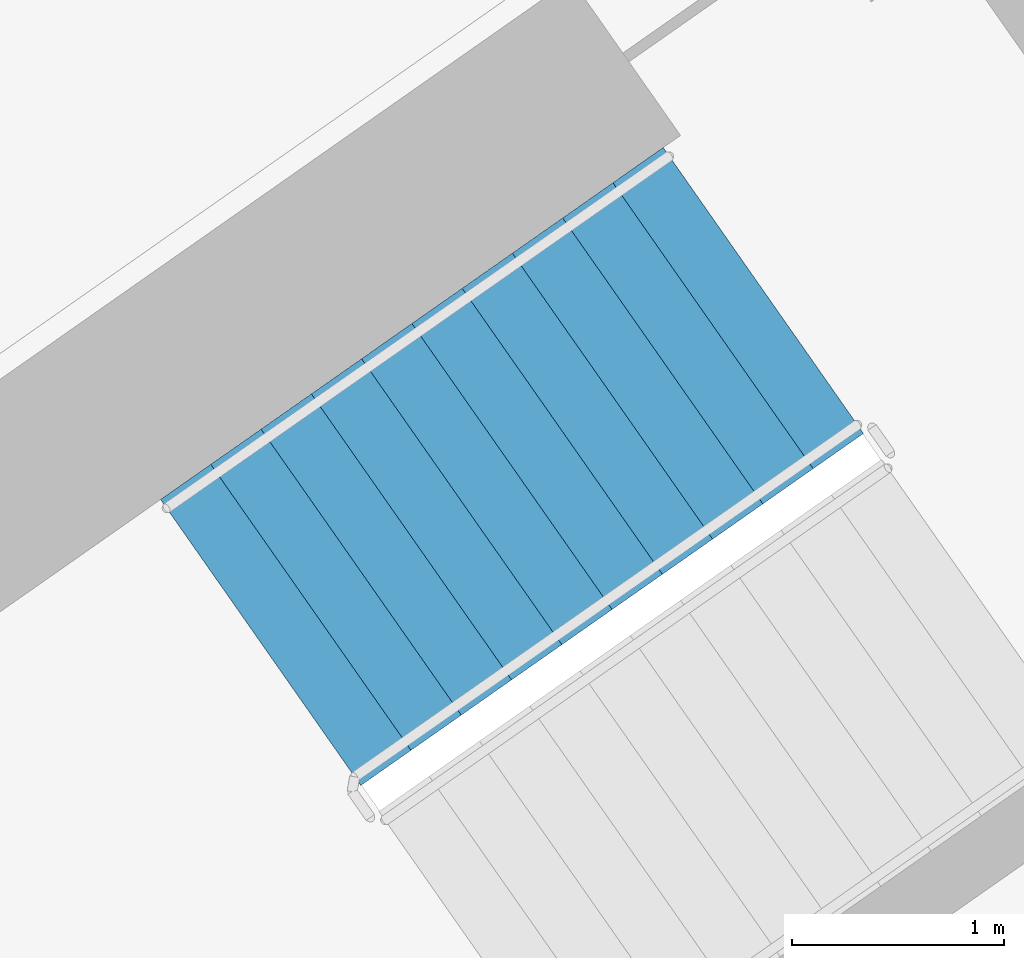
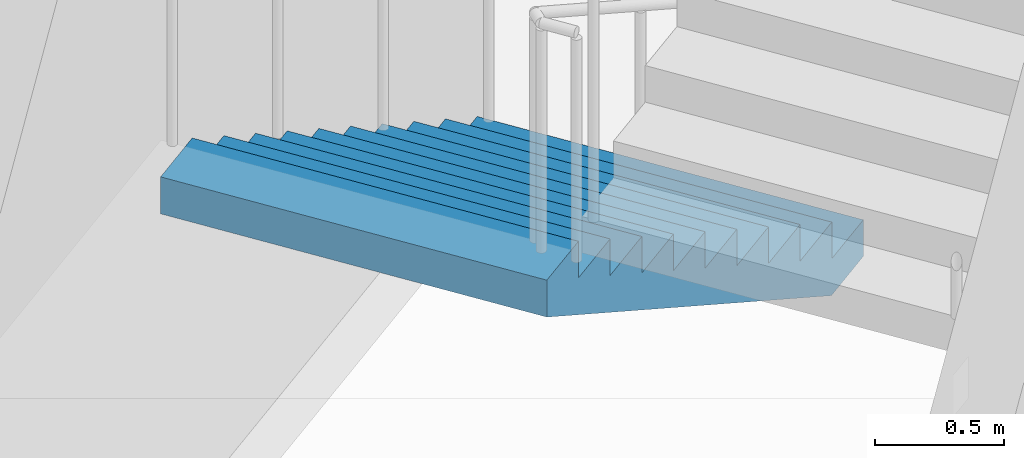
# One storey, part 14 of 29: 1 stair flight, 1 element without a shape of its own.
"""IFC4 building model written with IfcOpenShell, lengths in metres."""

from ifc_helpers import new_model, si_unit, direction, frame, origin, place, context, subcontext, project, spatial, faceted_brep, material, type_object, element, aggregate, save


model = new_model("IFC4")

# Units and contexts
model_context = context("Model", 3, precision=1e-05, world=origin(), true_north=direction((0.0, 1.0)))
body_context = subcontext(model_context, "Body", "Model", "MODEL_VIEW")
ifc_project = project(units=[si_unit("LENGTHUNIT", "METRE"), si_unit("AREAUNIT", "SQUARE_METRE"), si_unit("VOLUMEUNIT", "CUBIC_METRE"), si_unit("PLANEANGLEUNIT", "RADIAN"), si_unit("MASSUNIT", "GRAM", prefix="KILO")], contexts=[model_context])

# Site, building, storey
site_placement = place(None, origin())
site = spatial("IfcSite", under=ifc_project, at=site_placement, CompositionType="ELEMENT")
building_placement = place(site_placement, origin())
building = spatial("IfcBuilding", under=site, at=building_placement, Name="Qamariyya Broadcast Tower", CompositionType="ELEMENT")
storey_placement = place(building_placement, frame((0.0, 0.0, 121.5)))
storey = spatial("IfcBuildingStorey", under=building, at=storey_placement, Name="L27", CompositionType="ELEMENT", Elevation=121.5)

# Stair, stair flight
ifc_material = material(Name="Concrete C50/60", Category="concrete")
stair_type = type_object("IfcStairType", Name="Exit stair 22 risers of 173 mm", PredefinedType="HALF_TURN_STAIR", material=ifc_material)
stair_placement = place(storey_placement, origin())
stair = element("IfcStair", 1, at=stair_placement, inside=storey, type_object=stair_type, Name="L27 Stair E2", PredefinedType="HALF_TURN_STAIR")
stair_flight_type = type_object("IfcStairFlightType", Name="Exit stair flight 11 risers of 173 mm", PredefinedType="STRAIGHT", material=ifc_material)
stair_flight_placement = place(storey_placement, frame((40.558837890625, -47.685302734375, 0.0), z_axis=(0.0, 0.0, 1.0), x_axis=(-0.819152044289, -0.573576436351, 0.0)))
stair_flight = element("IfcStairFlight", 2, at=stair_flight_placement, type_object=stair_flight_type, Name="ST-E2 flight 1", NumberOfRisers=11, NumberOfTreads=10, PredefinedType="STRAIGHT", RiserHeight=0.172727273, TreadLength=0.29, context=body_context, shape_type="Brep", body=[
    faceted_brep([(0.0, 0.824951171875, 0.0), (0.0, 0.824951171875, 0.172607421875), (0.2900390625, 0.824951171875, 0.172607421875), (0.2900390625, 0.824951171875, 0.345458984375), (0.580078125, 0.824951171875, 0.345458984375), (0.580078125, 0.824951171875, 0.51806640625), (0.8701171875, 0.824951171875, 0.51806640625), (0.8701171875, 0.824951171875, 0.69091796875), (1.159912109375, 0.824951171875, 0.69091796875), (1.159912109375, 0.824951171875, 0.863525390625), (1.449951171875, 0.824951171875, 0.863525390625), (1.449951171875, 0.824951171875, 1.036376953125), (1.739990234375, 0.824951171875, 1.036376953125), (1.739990234375, 0.824951171875, 1.208984375), (2.030029296875, 0.824951171875, 1.208984375), (2.030029296875, 0.824951171875, 1.3818359375), (2.320068359375, 0.824951171875, 1.3818359375), (2.320068359375, 0.824951171875, 1.554443359375), (2.610107421875, 0.824951171875, 1.554443359375), (2.610107421875, 0.824951171875, 1.727294921875), (2.89990234375, 0.824951171875, 1.727294921875), (2.89990234375, 0.824951171875, 1.552734375), (0.29296875, 0.824951171875, 0.0), (0.29296875, -0.824951171875, 0.0), (2.89990234375, -0.824951171875, 1.552734375), (2.89990234375, -0.824951171875, 1.727294921875), (2.610107421875, -0.824951171875, 1.727294921875), (2.610107421875, -0.824951171875, 1.554443359375), (2.320068359375, -0.824951171875, 1.554443359375), (2.320068359375, -0.824951171875, 1.3818359375), (2.030029296875, -0.824951171875, 1.3818359375), (2.030029296875, -0.824951171875, 1.208984375), (1.739990234375, -0.824951171875, 1.208984375), (1.739990234375, -0.824951171875, 1.036376953125), (1.449951171875, -0.824951171875, 1.036376953125), (1.449951171875, -0.824951171875, 0.863525390625), (1.159912109375, -0.824951171875, 0.863525390625), (1.159912109375, -0.824951171875, 0.69091796875), (0.8701171875, -0.824951171875, 0.69091796875), (0.8701171875, -0.824951171875, 0.51806640625), (0.580078125, -0.824951171875, 0.51806640625), (0.580078125, -0.824951171875, 0.345458984375), (0.2900390625, -0.824951171875, 0.345458984375), (0.2900390625, -0.824951171875, 0.172607421875), (0.0, -0.824951171875, 0.172607421875), (0.0, -0.824951171875, 0.0), (0.0, 0.10009765625, 0.0), (0.0, 0.086669921875, 0.0), (0.0, 0.0732421875, 0.0), (0.0, 0.06005859375, 0.0), (0.0, 0.046630859375, 0.0), (0.0, 0.033447265625, 0.0), (0.0, 0.02001953125, 0.0), (0.0, 0.006591796875, 0.0), (0.0, -0.006591796875, 0.0), (0.0, -0.02001953125, 0.0), (0.0, -0.033447265625, 0.0), (0.0, -0.046630859375, 0.0), (0.0, -0.06005859375, 0.0), (0.0, -0.0732421875, 0.0), (0.0, -0.086669921875, 0.0), (0.0, -0.10009765625, 0.0), (0.0, -0.10009765625, 0.172607421875), (0.0, -0.086669921875, 0.172607421875), (0.0, -0.0732421875, 0.172607421875), (0.0, -0.06005859375, 0.172607421875), (0.0, -0.046630859375, 0.172607421875), (0.0, -0.033447265625, 0.172607421875), (0.0, -0.02001953125, 0.172607421875), (0.0, -0.006591796875, 0.172607421875), (0.0, 0.006591796875, 0.172607421875), (0.0, 0.02001953125, 0.172607421875), (0.0, 0.033447265625, 0.172607421875), (0.0, 0.046630859375, 0.172607421875), (0.0, 0.06005859375, 0.172607421875), (0.0, 0.0732421875, 0.172607421875), (0.0, 0.086669921875, 0.172607421875), (0.0, 0.10009765625, 0.172607421875), (0.2900390625, -0.10009765625, 0.172607421875), (0.2900390625, -0.086669921875, 0.172607421875), (0.2900390625, -0.0732421875, 0.172607421875), (0.2900390625, -0.06005859375, 0.172607421875), (0.2900390625, -0.046630859375, 0.172607421875), (0.2900390625, -0.033447265625, 0.172607421875), (0.2900390625, -0.02001953125, 0.172607421875), (0.2900390625, -0.006591796875, 0.172607421875), (0.2900390625, 0.006591796875, 0.172607421875), (0.2900390625, 0.02001953125, 0.172607421875), (0.2900390625, 0.033447265625, 0.172607421875), (0.2900390625, 0.046630859375, 0.172607421875), (0.2900390625, 0.06005859375, 0.172607421875), (0.2900390625, 0.0732421875, 0.172607421875), (0.2900390625, 0.086669921875, 0.172607421875), (0.2900390625, 0.10009765625, 0.172607421875), (0.2900390625, -0.10009765625, 0.345458984375), (0.2900390625, -0.086669921875, 0.345458984375), (0.2900390625, -0.0732421875, 0.345458984375), (0.2900390625, -0.06005859375, 0.345458984375), (0.2900390625, -0.046630859375, 0.345458984375), (0.2900390625, -0.033447265625, 0.345458984375), (0.2900390625, -0.02001953125, 0.345458984375), (0.2900390625, -0.006591796875, 0.345458984375), (0.2900390625, 0.006591796875, 0.345458984375), (0.2900390625, 0.02001953125, 0.345458984375), (0.2900390625, 0.033447265625, 0.345458984375), (0.2900390625, 0.046630859375, 0.345458984375), (0.2900390625, 0.06005859375, 0.345458984375), (0.2900390625, 0.0732421875, 0.345458984375), (0.2900390625, 0.086669921875, 0.345458984375), (0.2900390625, 0.10009765625, 0.345458984375), (0.580078125, -0.10009765625, 0.345458984375), (0.580078125, -0.086669921875, 0.345458984375), (0.580078125, -0.0732421875, 0.345458984375), (0.580078125, -0.06005859375, 0.345458984375), (0.580078125, -0.046630859375, 0.345458984375), (0.580078125, -0.033447265625, 0.345458984375), (0.580078125, -0.02001953125, 0.345458984375), (0.580078125, -0.006591796875, 0.345458984375), (0.580078125, 0.006591796875, 0.345458984375), (0.580078125, 0.02001953125, 0.345458984375), (0.580078125, 0.033447265625, 0.345458984375), (0.580078125, 0.046630859375, 0.345458984375), (0.580078125, 0.06005859375, 0.345458984375), (0.580078125, 0.0732421875, 0.345458984375), (0.580078125, 0.086669921875, 0.345458984375), (0.580078125, 0.10009765625, 0.345458984375), (0.580078125, -0.10009765625, 0.51806640625), (0.580078125, -0.086669921875, 0.51806640625), (0.580078125, -0.0732421875, 0.51806640625), (0.580078125, -0.06005859375, 0.51806640625), (0.580078125, -0.046630859375, 0.51806640625), (0.580078125, -0.033447265625, 0.51806640625), (0.580078125, -0.02001953125, 0.51806640625), (0.580078125, -0.006591796875, 0.51806640625), (0.580078125, 0.006591796875, 0.51806640625), (0.580078125, 0.02001953125, 0.51806640625), (0.580078125, 0.033447265625, 0.51806640625), (0.580078125, 0.046630859375, 0.51806640625), (0.580078125, 0.06005859375, 0.51806640625), (0.580078125, 0.0732421875, 0.51806640625), (0.580078125, 0.086669921875, 0.51806640625), (0.580078125, 0.10009765625, 0.51806640625), (0.8701171875, -0.10009765625, 0.51806640625), (0.8701171875, -0.086669921875, 0.51806640625), (0.8701171875, -0.0732421875, 0.51806640625), (0.8701171875, -0.06005859375, 0.51806640625), (0.8701171875, -0.046630859375, 0.51806640625), (0.8701171875, -0.033447265625, 0.51806640625), (0.8701171875, -0.02001953125, 0.51806640625), (0.8701171875, -0.006591796875, 0.51806640625), (0.8701171875, 0.006591796875, 0.51806640625), (0.8701171875, 0.02001953125, 0.51806640625), (0.8701171875, 0.033447265625, 0.51806640625), (0.8701171875, 0.046630859375, 0.51806640625), (0.8701171875, 0.06005859375, 0.51806640625), (0.8701171875, 0.0732421875, 0.51806640625), (0.8701171875, 0.086669921875, 0.51806640625), (0.8701171875, 0.10009765625, 0.51806640625), (0.8701171875, -0.10009765625, 0.69091796875), (0.8701171875, -0.086669921875, 0.69091796875), (0.8701171875, -0.0732421875, 0.69091796875), (0.8701171875, -0.06005859375, 0.69091796875), (0.8701171875, -0.046630859375, 0.69091796875), (0.8701171875, -0.033447265625, 0.69091796875), (0.8701171875, -0.02001953125, 0.69091796875), (0.8701171875, -0.006591796875, 0.69091796875), (0.8701171875, 0.006591796875, 0.69091796875), (0.8701171875, 0.02001953125, 0.69091796875), (0.8701171875, 0.033447265625, 0.69091796875), (0.8701171875, 0.046630859375, 0.69091796875), (0.8701171875, 0.06005859375, 0.69091796875), (0.8701171875, 0.0732421875, 0.69091796875), (0.8701171875, 0.086669921875, 0.69091796875), (0.8701171875, 0.10009765625, 0.69091796875), (1.159912109375, -0.10009765625, 0.69091796875), (1.159912109375, -0.086669921875, 0.69091796875), (1.159912109375, -0.0732421875, 0.69091796875), (1.159912109375, -0.06005859375, 0.69091796875), (1.159912109375, -0.046630859375, 0.69091796875), (1.159912109375, -0.033447265625, 0.69091796875), (1.159912109375, -0.02001953125, 0.69091796875), (1.159912109375, -0.006591796875, 0.69091796875), (1.159912109375, 0.006591796875, 0.69091796875), (1.159912109375, 0.02001953125, 0.69091796875), (1.159912109375, 0.033447265625, 0.69091796875), (1.159912109375, 0.046630859375, 0.69091796875), (1.159912109375, 0.06005859375, 0.69091796875), (1.159912109375, 0.0732421875, 0.69091796875), (1.159912109375, 0.086669921875, 0.69091796875), (1.159912109375, 0.10009765625, 0.69091796875), (1.159912109375, -0.10009765625, 0.863525390625), (1.159912109375, -0.086669921875, 0.863525390625), (1.159912109375, -0.0732421875, 0.863525390625), (1.159912109375, -0.06005859375, 0.863525390625), (1.159912109375, -0.046630859375, 0.863525390625), (1.159912109375, -0.033447265625, 0.863525390625), (1.159912109375, -0.02001953125, 0.863525390625), (1.159912109375, -0.006591796875, 0.863525390625), (1.159912109375, 0.006591796875, 0.863525390625), (1.159912109375, 0.02001953125, 0.863525390625), (1.159912109375, 0.033447265625, 0.863525390625), (1.159912109375, 0.046630859375, 0.863525390625), (1.159912109375, 0.06005859375, 0.863525390625), (1.159912109375, 0.0732421875, 0.863525390625), (1.159912109375, 0.086669921875, 0.863525390625), (1.159912109375, 0.10009765625, 0.863525390625), (1.449951171875, -0.10009765625, 0.863525390625), (1.449951171875, -0.086669921875, 0.863525390625), (1.449951171875, -0.0732421875, 0.863525390625), (1.449951171875, -0.06005859375, 0.863525390625), (1.449951171875, -0.046630859375, 0.863525390625), (1.449951171875, -0.033447265625, 0.863525390625), (1.449951171875, -0.02001953125, 0.863525390625), (1.449951171875, -0.006591796875, 0.863525390625), (1.449951171875, 0.006591796875, 0.863525390625), (1.449951171875, 0.02001953125, 0.863525390625), (1.449951171875, 0.033447265625, 0.863525390625), (1.449951171875, 0.046630859375, 0.863525390625), (1.449951171875, 0.06005859375, 0.863525390625), (1.449951171875, 0.0732421875, 0.863525390625), (1.449951171875, 0.086669921875, 0.863525390625), (1.449951171875, 0.10009765625, 0.863525390625), (1.449951171875, -0.10009765625, 1.036376953125), (1.449951171875, -0.086669921875, 1.036376953125), (1.449951171875, -0.0732421875, 1.036376953125), (1.449951171875, -0.06005859375, 1.036376953125), (1.449951171875, -0.046630859375, 1.036376953125), (1.449951171875, -0.033447265625, 1.036376953125), (1.449951171875, -0.02001953125, 1.036376953125), (1.449951171875, -0.006591796875, 1.036376953125), (1.449951171875, 0.006591796875, 1.036376953125), (1.449951171875, 0.02001953125, 1.036376953125), (1.449951171875, 0.033447265625, 1.036376953125), (1.449951171875, 0.046630859375, 1.036376953125), (1.449951171875, 0.06005859375, 1.036376953125), (1.449951171875, 0.0732421875, 1.036376953125), (1.449951171875, 0.086669921875, 1.036376953125), (1.449951171875, 0.10009765625, 1.036376953125), (1.739990234375, -0.10009765625, 1.036376953125), (1.739990234375, -0.086669921875, 1.036376953125), (1.739990234375, -0.0732421875, 1.036376953125), (1.739990234375, -0.06005859375, 1.036376953125), (1.739990234375, -0.046630859375, 1.036376953125), (1.739990234375, -0.033447265625, 1.036376953125), (1.739990234375, -0.02001953125, 1.036376953125), (1.739990234375, -0.006591796875, 1.036376953125), (1.739990234375, 0.006591796875, 1.036376953125), (1.739990234375, 0.02001953125, 1.036376953125), (1.739990234375, 0.033447265625, 1.036376953125), (1.739990234375, 0.046630859375, 1.036376953125), (1.739990234375, 0.06005859375, 1.036376953125), (1.739990234375, 0.0732421875, 1.036376953125), (1.739990234375, 0.086669921875, 1.036376953125), (1.739990234375, 0.10009765625, 1.036376953125), (1.739990234375, -0.10009765625, 1.208984375), (1.739990234375, -0.086669921875, 1.208984375), (1.739990234375, -0.0732421875, 1.208984375), (1.739990234375, -0.06005859375, 1.208984375), (1.739990234375, -0.046630859375, 1.208984375), (1.739990234375, -0.033447265625, 1.208984375), (1.739990234375, -0.02001953125, 1.208984375), (1.739990234375, -0.006591796875, 1.208984375), (1.739990234375, 0.006591796875, 1.208984375), (1.739990234375, 0.02001953125, 1.208984375), (1.739990234375, 0.033447265625, 1.208984375), (1.739990234375, 0.046630859375, 1.208984375), (1.739990234375, 0.06005859375, 1.208984375), (1.739990234375, 0.0732421875, 1.208984375), (1.739990234375, 0.086669921875, 1.208984375), (1.739990234375, 0.10009765625, 1.208984375), (2.030029296875, -0.10009765625, 1.208984375), (2.030029296875, -0.086669921875, 1.208984375), (2.030029296875, -0.0732421875, 1.208984375), (2.030029296875, -0.06005859375, 1.208984375), (2.030029296875, -0.046630859375, 1.208984375), (2.030029296875, -0.033447265625, 1.208984375), (2.030029296875, -0.02001953125, 1.208984375), (2.030029296875, -0.006591796875, 1.208984375), (2.030029296875, 0.006591796875, 1.208984375), (2.030029296875, 0.02001953125, 1.208984375), (2.030029296875, 0.033447265625, 1.208984375), (2.030029296875, 0.046630859375, 1.208984375), (2.030029296875, 0.06005859375, 1.208984375), (2.030029296875, 0.0732421875, 1.208984375), (2.030029296875, 0.086669921875, 1.208984375), (2.030029296875, 0.10009765625, 1.208984375), (2.030029296875, -0.10009765625, 1.3818359375), (2.030029296875, -0.086669921875, 1.3818359375), (2.030029296875, -0.0732421875, 1.3818359375), (2.030029296875, -0.06005859375, 1.3818359375), (2.030029296875, -0.046630859375, 1.3818359375), (2.030029296875, -0.033447265625, 1.3818359375), (2.030029296875, -0.02001953125, 1.3818359375), (2.030029296875, -0.006591796875, 1.3818359375), (2.030029296875, 0.006591796875, 1.3818359375), (2.030029296875, 0.02001953125, 1.3818359375), (2.030029296875, 0.033447265625, 1.3818359375), (2.030029296875, 0.046630859375, 1.3818359375), (2.030029296875, 0.06005859375, 1.3818359375), (2.030029296875, 0.0732421875, 1.3818359375), (2.030029296875, 0.086669921875, 1.3818359375), (2.030029296875, 0.10009765625, 1.3818359375), (2.320068359375, -0.10009765625, 1.3818359375), (2.320068359375, -0.086669921875, 1.3818359375), (2.320068359375, -0.0732421875, 1.3818359375), (2.320068359375, -0.06005859375, 1.3818359375), (2.320068359375, -0.046630859375, 1.3818359375), (2.320068359375, -0.033447265625, 1.3818359375), (2.320068359375, -0.02001953125, 1.3818359375), (2.320068359375, -0.006591796875, 1.3818359375), (2.320068359375, 0.006591796875, 1.3818359375), (2.320068359375, 0.02001953125, 1.3818359375), (2.320068359375, 0.033447265625, 1.3818359375), (2.320068359375, 0.046630859375, 1.3818359375), (2.320068359375, 0.06005859375, 1.3818359375), (2.320068359375, 0.0732421875, 1.3818359375), (2.320068359375, 0.086669921875, 1.3818359375), (2.320068359375, 0.10009765625, 1.3818359375), (2.320068359375, -0.10009765625, 1.554443359375), (2.320068359375, -0.086669921875, 1.554443359375), (2.320068359375, -0.0732421875, 1.554443359375), (2.320068359375, -0.06005859375, 1.554443359375), (2.320068359375, -0.046630859375, 1.554443359375), (2.320068359375, -0.033447265625, 1.554443359375), (2.320068359375, -0.02001953125, 1.554443359375), (2.320068359375, -0.006591796875, 1.554443359375), (2.320068359375, 0.006591796875, 1.554443359375), (2.320068359375, 0.02001953125, 1.554443359375), (2.320068359375, 0.033447265625, 1.554443359375), (2.320068359375, 0.046630859375, 1.554443359375), (2.320068359375, 0.06005859375, 1.554443359375), (2.320068359375, 0.0732421875, 1.554443359375), (2.320068359375, 0.086669921875, 1.554443359375), (2.320068359375, 0.10009765625, 1.554443359375), (2.610107421875, -0.10009765625, 1.554443359375), (2.610107421875, -0.086669921875, 1.554443359375), (2.610107421875, -0.0732421875, 1.554443359375), (2.610107421875, -0.06005859375, 1.554443359375), (2.610107421875, -0.046630859375, 1.554443359375), (2.610107421875, -0.033447265625, 1.554443359375), (2.610107421875, -0.02001953125, 1.554443359375), (2.610107421875, -0.006591796875, 1.554443359375), (2.610107421875, 0.006591796875, 1.554443359375), (2.610107421875, 0.02001953125, 1.554443359375), (2.610107421875, 0.033447265625, 1.554443359375), (2.610107421875, 0.046630859375, 1.554443359375), (2.610107421875, 0.06005859375, 1.554443359375), (2.610107421875, 0.0732421875, 1.554443359375), (2.610107421875, 0.086669921875, 1.554443359375), (2.610107421875, 0.10009765625, 1.554443359375), (2.610107421875, -0.10009765625, 1.727294921875), (2.610107421875, -0.086669921875, 1.727294921875), (2.610107421875, -0.0732421875, 1.727294921875), (2.610107421875, -0.06005859375, 1.727294921875), (2.610107421875, -0.046630859375, 1.727294921875), (2.610107421875, -0.033447265625, 1.727294921875), (2.610107421875, -0.02001953125, 1.727294921875), (2.610107421875, -0.006591796875, 1.727294921875), (2.610107421875, 0.006591796875, 1.727294921875), (2.610107421875, 0.02001953125, 1.727294921875), (2.610107421875, 0.033447265625, 1.727294921875), (2.610107421875, 0.046630859375, 1.727294921875), (2.610107421875, 0.06005859375, 1.727294921875), (2.610107421875, 0.0732421875, 1.727294921875), (2.610107421875, 0.086669921875, 1.727294921875), (2.610107421875, 0.10009765625, 1.727294921875), (2.89990234375, -0.10009765625, 1.727294921875), (2.89990234375, -0.086669921875, 1.727294921875), (2.89990234375, -0.0732421875, 1.727294921875), (2.89990234375, -0.06005859375, 1.727294921875), (2.89990234375, -0.046630859375, 1.727294921875), (2.89990234375, -0.033447265625, 1.727294921875), (2.89990234375, -0.02001953125, 1.727294921875), (2.89990234375, -0.006591796875, 1.727294921875), (2.89990234375, 0.006591796875, 1.727294921875), (2.89990234375, 0.02001953125, 1.727294921875), (2.89990234375, 0.033447265625, 1.727294921875), (2.89990234375, 0.046630859375, 1.727294921875), (2.89990234375, 0.06005859375, 1.727294921875), (2.89990234375, 0.0732421875, 1.727294921875), (2.89990234375, 0.086669921875, 1.727294921875), (2.89990234375, 0.10009765625, 1.727294921875), (2.89990234375, -0.10009765625, 1.552734375), (2.89990234375, -0.086669921875, 1.552734375), (2.89990234375, -0.0732421875, 1.552734375), (2.89990234375, -0.06005859375, 1.552734375), (2.89990234375, -0.046630859375, 1.552734375), (2.89990234375, -0.033447265625, 1.552734375), (2.89990234375, -0.02001953125, 1.552734375), (2.89990234375, -0.006591796875, 1.552734375), (2.89990234375, 0.006591796875, 1.552734375), (2.89990234375, 0.02001953125, 1.552734375), (2.89990234375, 0.033447265625, 1.552734375), (2.89990234375, 0.046630859375, 1.552734375), (2.89990234375, 0.06005859375, 1.552734375), (2.89990234375, 0.0732421875, 1.552734375), (2.89990234375, 0.086669921875, 1.552734375), (2.89990234375, 0.10009765625, 1.552734375), (0.29296875, -0.10009765625, 0.0), (0.29296875, -0.086669921875, 0.0), (0.29296875, -0.0732421875, 0.0), (0.29296875, -0.06005859375, 0.0), (0.29296875, -0.046630859375, 0.0), (0.29296875, -0.033447265625, 0.0), (0.29296875, -0.02001953125, 0.0), (0.29296875, -0.006591796875, 0.0), (0.29296875, 0.006591796875, 0.0), (0.29296875, 0.02001953125, 0.0), (0.29296875, 0.033447265625, 0.0), (0.29296875, 0.046630859375, 0.0), (0.29296875, 0.06005859375, 0.0), (0.29296875, 0.0732421875, 0.0), (0.29296875, 0.086669921875, 0.0), (0.29296875, 0.10009765625, 0.0)], [[[0, 1, 2, 3, 4, 5, 6, 7, 8, 9, 10, 11, 12, 13, 14, 15, 16, 17, 18, 19, 20, 21, 22]], [[23, 24, 25, 26, 27, 28, 29, 30, 31, 32, 33, 34, 35, 36, 37, 38, 39, 40, 41, 42, 43, 44, 45]], [[0, 46, 47, 48, 49, 50, 51, 52, 53, 54, 55, 56, 57, 58, 59, 60, 61, 45, 44, 62, 63, 64, 65, 66, 67, 68, 69, 70, 71, 72, 73, 74, 75, 76, 77, 1]], [[1, 77, 76, 75, 74, 73, 72, 71, 70, 69, 68, 67, 66, 65, 64, 63, 62, 44, 43, 78, 79, 80, 81, 82, 83, 84, 85, 86, 87, 88, 89, 90, 91, 92, 93, 2]], [[2, 93, 92, 91, 90, 89, 88, 87, 86, 85, 84, 83, 82, 81, 80, 79, 78, 43, 42, 94, 95, 96, 97, 98, 99, 100, 101, 102, 103, 104, 105, 106, 107, 108, 109, 3]], [[3, 109, 108, 107, 106, 105, 104, 103, 102, 101, 100, 99, 98, 97, 96, 95, 94, 42, 41, 110, 111, 112, 113, 114, 115, 116, 117, 118, 119, 120, 121, 122, 123, 124, 125, 4]], [[4, 125, 124, 123, 122, 121, 120, 119, 118, 117, 116, 115, 114, 113, 112, 111, 110, 41, 40, 126, 127, 128, 129, 130, 131, 132, 133, 134, 135, 136, 137, 138, 139, 140, 141, 5]], [[5, 141, 140, 139, 138, 137, 136, 135, 134, 133, 132, 131, 130, 129, 128, 127, 126, 40, 39, 142, 143, 144, 145, 146, 147, 148, 149, 150, 151, 152, 153, 154, 155, 156, 157, 6]], [[6, 157, 156, 155, 154, 153, 152, 151, 150, 149, 148, 147, 146, 145, 144, 143, 142, 39, 38, 158, 159, 160, 161, 162, 163, 164, 165, 166, 167, 168, 169, 170, 171, 172, 173, 7]], [[7, 173, 172, 171, 170, 169, 168, 167, 166, 165, 164, 163, 162, 161, 160, 159, 158, 38, 37, 174, 175, 176, 177, 178, 179, 180, 181, 182, 183, 184, 185, 186, 187, 188, 189, 8]], [[8, 189, 188, 187, 186, 185, 184, 183, 182, 181, 180, 179, 178, 177, 176, 175, 174, 37, 36, 190, 191, 192, 193, 194, 195, 196, 197, 198, 199, 200, 201, 202, 203, 204, 205, 9]], [[9, 205, 204, 203, 202, 201, 200, 199, 198, 197, 196, 195, 194, 193, 192, 191, 190, 36, 35, 206, 207, 208, 209, 210, 211, 212, 213, 214, 215, 216, 217, 218, 219, 220, 221, 10]], [[10, 221, 220, 219, 218, 217, 216, 215, 214, 213, 212, 211, 210, 209, 208, 207, 206, 35, 34, 222, 223, 224, 225, 226, 227, 228, 229, 230, 231, 232, 233, 234, 235, 236, 237, 11]], [[11, 237, 236, 235, 234, 233, 232, 231, 230, 229, 228, 227, 226, 225, 224, 223, 222, 34, 33, 238, 239, 240, 241, 242, 243, 244, 245, 246, 247, 248, 249, 250, 251, 252, 253, 12]], [[12, 253, 252, 251, 250, 249, 248, 247, 246, 245, 244, 243, 242, 241, 240, 239, 238, 33, 32, 254, 255, 256, 257, 258, 259, 260, 261, 262, 263, 264, 265, 266, 267, 268, 269, 13]], [[13, 269, 268, 267, 266, 265, 264, 263, 262, 261, 260, 259, 258, 257, 256, 255, 254, 32, 31, 270, 271, 272, 273, 274, 275, 276, 277, 278, 279, 280, 281, 282, 283, 284, 285, 14]], [[14, 285, 284, 283, 282, 281, 280, 279, 278, 277, 276, 275, 274, 273, 272, 271, 270, 31, 30, 286, 287, 288, 289, 290, 291, 292, 293, 294, 295, 296, 297, 298, 299, 300, 301, 15]], [[15, 301, 300, 299, 298, 297, 296, 295, 294, 293, 292, 291, 290, 289, 288, 287, 286, 30, 29, 302, 303, 304, 305, 306, 307, 308, 309, 310, 311, 312, 313, 314, 315, 316, 317, 16]], [[16, 317, 316, 315, 314, 313, 312, 311, 310, 309, 308, 307, 306, 305, 304, 303, 302, 29, 28, 318, 319, 320, 321, 322, 323, 324, 325, 326, 327, 328, 329, 330, 331, 332, 333, 17]], [[17, 333, 332, 331, 330, 329, 328, 327, 326, 325, 324, 323, 322, 321, 320, 319, 318, 28, 27, 334, 335, 336, 337, 338, 339, 340, 341, 342, 343, 344, 345, 346, 347, 348, 349, 18]], [[18, 349, 348, 347, 346, 345, 344, 343, 342, 341, 340, 339, 338, 337, 336, 335, 334, 27, 26, 350, 351, 352, 353, 354, 355, 356, 357, 358, 359, 360, 361, 362, 363, 364, 365, 19]], [[19, 365, 364, 363, 362, 361, 360, 359, 358, 357, 356, 355, 354, 353, 352, 351, 350, 26, 25, 366, 367, 368, 369, 370, 371, 372, 373, 374, 375, 376, 377, 378, 379, 380, 381, 20]], [[20, 381, 380, 379, 378, 377, 376, 375, 374, 373, 372, 371, 370, 369, 368, 367, 366, 25, 24, 382, 383, 384, 385, 386, 387, 388, 389, 390, 391, 392, 393, 394, 395, 396, 397, 21]], [[21, 397, 396, 395, 394, 393, 392, 391, 390, 389, 388, 387, 386, 385, 384, 383, 382, 24, 23, 398, 399, 400, 401, 402, 403, 404, 405, 406, 407, 408, 409, 410, 411, 412, 413, 22]], [[22, 413, 412, 411, 410, 409, 408, 407, 406, 405, 404, 403, 402, 401, 400, 399, 398, 23, 45, 61, 60, 59, 58, 57, 56, 55, 54, 53, 52, 51, 50, 49, 48, 47, 46, 0]]]),
])
aggregate(stair, [stair_flight])

save(model, "model.ifc")
